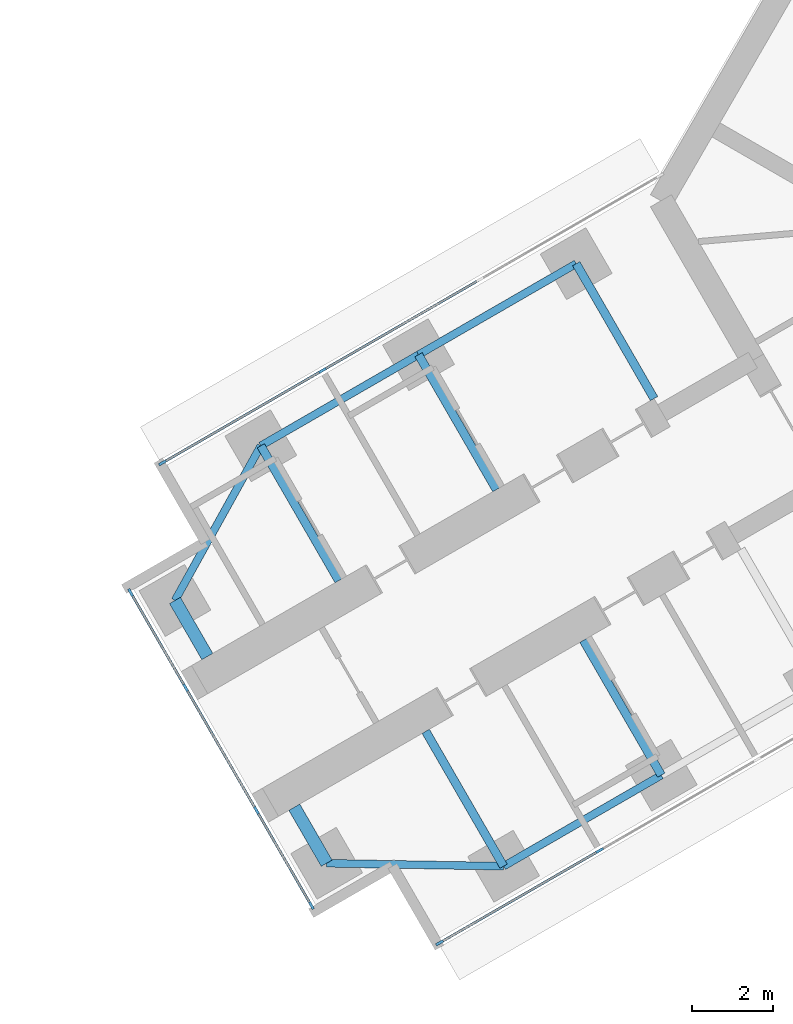
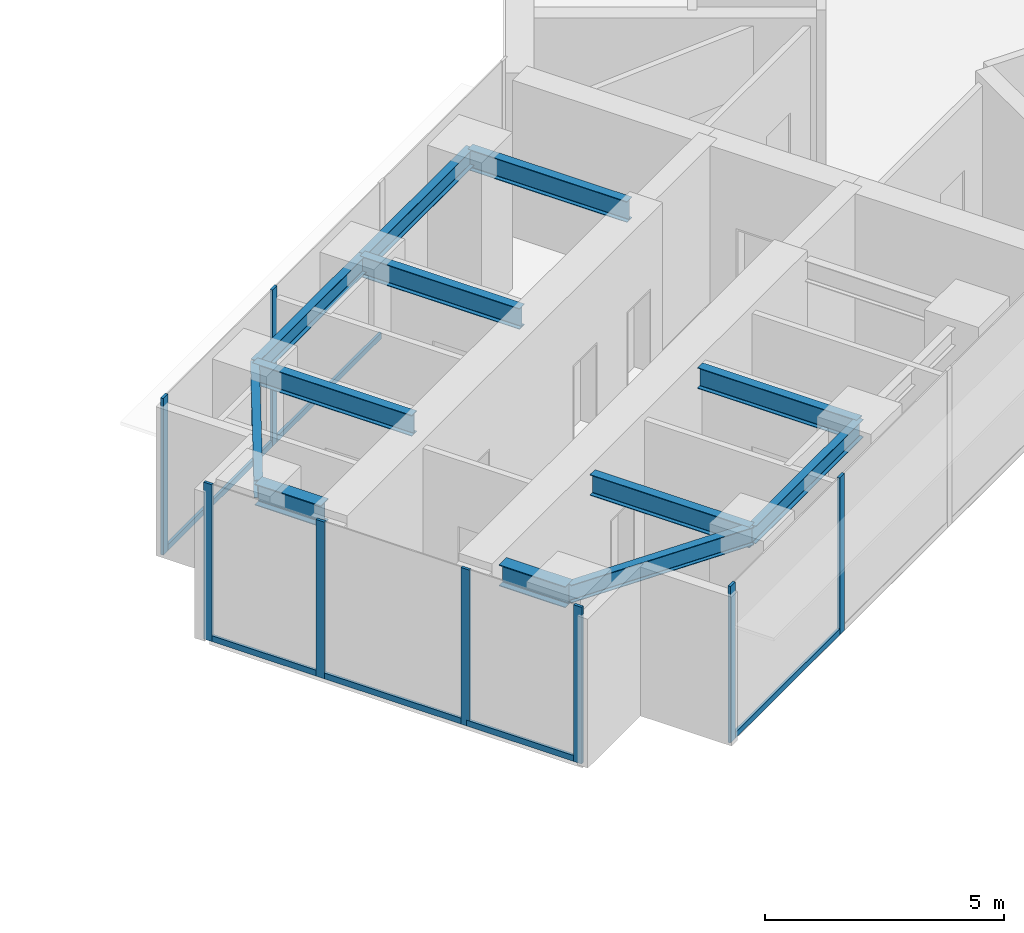
# One storey, part 3 of 22: 14 members, 12 beams, 3 elements without a shape of their own.
"""IFC4 building model written with IfcOpenShell, lengths in metres."""

from ifc_helpers import new_model, si_unit, direction, frame, origin, origin_2d, place, context, subcontext, project, spatial, rectangle, i_section, extrude, material, material_profile, profile_set, type_object, element, aggregate, save


model = new_model("IFC4")

# Units and contexts
model_context = context("Model", 3, precision=1e-05, world=origin(), true_north=direction((0.0, 1.0)))
body_context = subcontext(model_context, "Body", "Model", "MODEL_VIEW")
ifc_project = project(units=[si_unit("LENGTHUNIT", "METRE"), si_unit("AREAUNIT", "SQUARE_METRE"), si_unit("VOLUMEUNIT", "CUBIC_METRE"), si_unit("PLANEANGLEUNIT", "RADIAN"), si_unit("MASSUNIT", "GRAM", prefix="KILO")], contexts=[model_context])

# Site, building, storey
site_placement = place(None, origin())
site = spatial("IfcSite", under=ifc_project, at=site_placement, CompositionType="ELEMENT")
building_placement = place(site_placement, origin())
building = spatial("IfcBuilding", under=site, at=building_placement, Name="Upepo Twin Towers", CompositionType="ELEMENT")
storey_placement = place(building_placement, frame((0.0, 0.0, 141.5)))
storey = spatial("IfcBuildingStorey", under=building, at=storey_placement, Name="L34", CompositionType="ELEMENT", Elevation=141.5)

# Beams
ifc_material_1 = material(Name="Steel S355", Category="steel")
ifc_material_profile_1 = material_profile(ifc_material_1, i_section(OverallWidth=0.1904296875, OverallDepth=0.45703125, WebThickness=0.009033203125, FlangeThickness=0.014404296875, FilletRadius=0.01025390625, at=origin_2d()), Name="UB 457x191x74")
ifc_profile_set_1 = profile_set([ifc_material_profile_1], Name="Steel S355")
beam_type_1 = type_object("IfcBeamType", Name="Beam UB 457x191x74", PredefinedType="BEAM", material=ifc_profile_set_1)
beam_1_placement = place(storey_placement, frame((45.91162109375, -32.196044921875, 3.571533203125), z_axis=(-0.866031096941, -0.499990139034, 0.0), x_axis=(0.499990139034, -0.866031096941, 0.0)))
element("IfcBeam", 1, at=beam_1_placement, inside=storey, type_object=beam_type_1, Name="T2 edge beam BL 18.0-22.5", PredefinedType="BEAM", context=body_context, shape_type="SweptSolid", body=[
    extrude(i_section(OverallWidth=0.1904296875, OverallDepth=0.45703125, WebThickness=0.009033203125, FlangeThickness=0.014404296875, FilletRadius=0.01025390625, at=origin_2d()), origin(), (0.0, 0.0, 1.0), 4.5),
])
beam_2_placement = place(storey_placement, frame((42.014404296875, -34.446044921875, 3.571533203125), z_axis=(-0.999858804832, 0.016803880528, 0.0), x_axis=(-0.016803880528, -0.999858804832, 0.0)))
element("IfcBeam", 2, at=beam_2_placement, inside=storey, type_object=beam_type_1, Name="T2 nose edge beam BL", PredefinedType="BEAM", context=body_context, shape_type="SweptSolid", body=[
    extrude(i_section(OverallWidth=0.1904296875, OverallDepth=0.45703125, WebThickness=0.009033203125, FlangeThickness=0.014404296875, FilletRadius=0.01025390625, at=origin_2d()), origin(), (0.0, 0.0, 1.0), 4.373291015625),
])
beam_3_placement = place(storey_placement, frame((43.80859375, -19.553955078125, 3.571533203125), z_axis=(-0.866017533419, -0.500013631625, 0.0), x_axis=(0.500013631625, -0.866017533419, 0.0)))
element("IfcBeam", 3, at=beam_3_placement, inside=storey, type_object=beam_type_1, Name="T2 edge beam BR 13.5-18.0", PredefinedType="BEAM", context=body_context, shape_type="SweptSolid", body=[
    extrude(i_section(OverallWidth=0.1904296875, OverallDepth=0.45703125, WebThickness=0.009033203125, FlangeThickness=0.014404296875, FilletRadius=0.01025390625, at=origin_2d()), origin(), (0.0, 0.0, 1.0), 4.499755859375),
])
beam_4_placement = place(storey_placement, frame((39.91162109375, -21.803955078125, 3.571533203125), z_axis=(-0.866031096941, -0.499990139034, 0.0), x_axis=(0.499990139034, -0.866031096941, 0.0)))
element("IfcBeam", 4, at=beam_4_placement, inside=storey, type_object=beam_type_1, Name="T2 edge beam BR 18.0-22.5", PredefinedType="BEAM", context=body_context, shape_type="SweptSolid", body=[
    extrude(i_section(OverallWidth=0.1904296875, OverallDepth=0.45703125, WebThickness=0.009033203125, FlangeThickness=0.014404296875, FilletRadius=0.01025390625, at=origin_2d()), origin(), (0.0, 0.0, 1.0), 4.5),
])
beam_5_placement = place(storey_placement, frame((36.014404296875, -24.053955078125, 3.571533203125), z_axis=(-0.485363242752, -0.874312600038, 0.0), x_axis=(0.874312600038, -0.485363242752, 0.0)))
element("IfcBeam", 5, at=beam_5_placement, inside=storey, type_object=beam_type_1, Name="T2 nose edge beam BR", PredefinedType="BEAM", context=body_context, shape_type="SweptSolid", body=[
    extrude(i_section(OverallWidth=0.1904296875, OverallDepth=0.45703125, WebThickness=0.009033203125, FlangeThickness=0.014404296875, FilletRadius=0.01025390625, at=origin_2d()), origin(), (0.0, 0.0, 1.0), 4.373046875),
])
ifc_material_2 = material(Name="Steel S355", Category="steel")
ifc_material_profile_2 = material_profile(ifc_material_2, i_section(OverallWidth=0.209228515625, OverallDepth=0.533203125, WebThickness=0.010009765625, FlangeThickness=0.015625, FilletRadius=0.0126953125, at=origin_2d()), Name="UB 533x210x92")
ifc_profile_set_2 = profile_set([ifc_material_profile_2], Name="Steel S355")
beam_type_2 = type_object("IfcBeamType", Name="Beam UB 533x210x92", PredefinedType="BEAM", material=ifc_profile_set_2)
for number, where, z_axis, x_axis, name in (
    (6, (45.91162109375, -32.196044921875, 3.533447265625), (-0.500033517596, 0.866006051527, 0.0), (-0.866006051527, -0.500033517596, 0.0), "T2 girder BL at 18.0"),
    (7, (42.014404296875, -34.446044921875, 3.533447265625), (-0.500033517596, 0.866006051527, 0.0), (-0.866006051527, -0.500033517596, 0.0), "T2 girder BL at 22.5"),
    (8, (43.80859375, -19.553955078125, 3.533447265625), (0.500033517596, -0.866006051527, 0.0), (0.866006051527, 0.500033517596, 0.0), "T2 girder BR at 13.5"),
):
    element("IfcBeam", number, at=place(storey_placement, frame(where, z_axis=z_axis, x_axis=x_axis)), inside=storey, type_object=beam_type_2, Name=name, PredefinedType="BEAM", context=body_context, shape_type="SweptSolid", body=[
        extrude(i_section(OverallWidth=0.209228515625, OverallDepth=0.533203125, WebThickness=0.010009765625, FlangeThickness=0.015625, FilletRadius=0.0126953125, at=origin_2d()), origin(), (0.0, 0.0, 1.0), 3.849853515625),
    ])
beam_6_placement = place(storey_placement, frame((39.91162109375, -21.803955078125, 3.533447265625), z_axis=(0.499985955615, -0.866033512162, 0.0), x_axis=(0.866033512162, 0.499985955615, 0.0)))
element("IfcBeam", 9, at=beam_6_placement, inside=storey, type_object=beam_type_2, Name="T2 girder BR at 18.0", PredefinedType="BEAM", context=body_context, shape_type="SweptSolid", body=[
    extrude(i_section(OverallWidth=0.209228515625, OverallDepth=0.533203125, WebThickness=0.010009765625, FlangeThickness=0.015625, FilletRadius=0.0126953125, at=origin_2d()), origin(), (0.0, 0.0, 1.0), 3.849609375),
])
beam_7_placement = place(storey_placement, frame((36.014404296875, -24.053955078125, 3.533447265625), z_axis=(0.500033517596, -0.866006051527, 0.0), x_axis=(0.866006051527, 0.500033517596, 0.0)))
element("IfcBeam", 10, at=beam_7_placement, inside=storey, type_object=beam_type_2, Name="T2 girder BR at 22.5", PredefinedType="BEAM", context=body_context, shape_type="SweptSolid", body=[
    extrude(i_section(OverallWidth=0.209228515625, OverallDepth=0.533203125, WebThickness=0.010009765625, FlangeThickness=0.015625, FilletRadius=0.0126953125, at=origin_2d()), origin(), (0.0, 0.0, 1.0), 3.849853515625),
])
ifc_material_3 = material(Name="Steel S355", Category="steel")
ifc_material_profile_3 = material_profile(ifc_material_3, i_section(OverallWidth=0.31201171875, OverallDepth=0.54345703125, WebThickness=0.0126953125, FlangeThickness=0.020263671875, FilletRadius=0.0126953125, at=origin_2d()), Name="UB 533x312x150")
ifc_profile_set_3 = profile_set([ifc_material_profile_3], Name="Steel S355")
beam_type_3 = type_object("IfcBeamType", Name="Beam UB 533x312x150", PredefinedType="BEAM", material=ifc_profile_set_3)
for number, where, z_axis, x_axis, name in (
    (11, (37.641845703125, -34.37255859375, 3.5283203125), (-0.500061482766, 0.865989903783, 0.0), (-0.865989903783, -0.500061482766, 0.0), "T2 nose beam BL"),
    (12, (33.891845703125, -27.87744140625, 3.5283203125), (0.500061482766, -0.865989903783, 0.0), (0.865989903783, 0.500061482766, 0.0), "T2 nose beam BR"),
):
    element("IfcBeam", number, at=place(storey_placement, frame(where, z_axis=z_axis, x_axis=x_axis)), inside=storey, type_object=beam_type_3, Name=name, PredefinedType="BEAM", context=body_context, shape_type="SweptSolid", body=[
        extrude(i_section(OverallWidth=0.31201171875, OverallDepth=0.54345703125, WebThickness=0.0126953125, FlangeThickness=0.020263671875, FilletRadius=0.0126953125, at=origin_2d()), origin(), (0.0, 0.0, 1.0), 1.599853515625),
    ])

# Curtain wall, members
ifc_material_4 = material(Name="Aluminium and fritted glass", Category="aluminium")
curtain_wall_type = type_object("IfcCurtainWallType", Name="Tower curtain wall TW2, fritted glass", PredefinedType="NOTDEFINED", material=ifc_material_4)
curtain_wall_1_placement = place(storey_placement, origin())
curtain_wall_1 = element("IfcCurtainWall", 13, at=curtain_wall_1_placement, inside=storey, type_object=curtain_wall_type, Name="T2 L34 wing B flank L curtain wall", PredefinedType="NOTDEFINED")
ifc_material_5 = material(Name="Aluminium mullion", Category="aluminium")
ifc_material_profile_4 = material_profile(ifc_material_5, rectangle(XDim=0.06494140625, YDim=0.199951171875, at=origin_2d()), Name="MULLION 65x200")
ifc_profile_set_4 = profile_set([ifc_material_profile_4], Name="Aluminium mullion")
member_type_1 = type_object("IfcMemberType", Name="Mullion 65x200 TW2", PredefinedType="MULLION", material=ifc_profile_set_4)
member_1_placement = place(storey_placement, frame((44.387939453125, -34.057373046875, 0.0), z_axis=(0.0, 0.0, 1.0), x_axis=(0.500000010308, -0.866025397833, 0.0)))
member_1 = element("IfcMember", 14, at=member_1_placement, type_object=member_type_1, Name="T2 L34 wing B flank L curtain wall mullion 3", PredefinedType="MULLION", context=body_context, shape_type="SweptSolid", body=[
    extrude(rectangle(XDim=0.06494140625, YDim=0.199951171875, at=origin_2d()), origin(), (0.0, 0.0, 1.0), 4.0),
])
member_2_placement = place(storey_placement, frame((40.432373046875, -36.341064453125, 0.0), z_axis=(0.0, 0.0, 1.0), x_axis=(0.500000010308, -0.866025397833, 0.0)))
member_2 = element("IfcMember", 15, at=member_2_placement, type_object=member_type_1, Name="T2 L34 wing B flank L curtain wall mullion 4", PredefinedType="MULLION", context=body_context, shape_type="SweptSolid", body=[
    extrude(rectangle(XDim=0.06494140625, YDim=0.199951171875, at=origin_2d()), origin(), (0.0, 0.0, 1.0), 4.0),
])

curtain_wall_2_placement = place(storey_placement, origin())
curtain_wall_2 = element("IfcCurtainWall", 16, at=curtain_wall_2_placement, inside=storey, type_object=curtain_wall_type, Name="T2 L34 wing B flank R curtain wall", PredefinedType="NOTDEFINED")
member_3_placement = place(storey_placement, frame((33.58251953125, -24.4765625, 0.0), z_axis=(0.0, 0.0, 1.0), x_axis=(-0.500000010308, 0.866025397833, 0.0)))
member_3 = element("IfcMember", 17, at=member_3_placement, type_object=member_type_1, Name="T2 L34 wing B flank R curtain wall mullion 1", PredefinedType="MULLION", context=body_context, shape_type="SweptSolid", body=[
    extrude(rectangle(XDim=0.06494140625, YDim=0.199951171875, at=origin_2d()), origin(), (0.0, 0.0, 1.0), 4.0),
])
member_4_placement = place(storey_placement, frame((37.5380859375, -22.192626953125, 0.0), z_axis=(0.0, 0.0, 1.0), x_axis=(-0.500000010308, 0.866025397833, 0.0)))
member_4 = element("IfcMember", 18, at=member_4_placement, type_object=member_type_1, Name="T2 L34 wing B flank R curtain wall mullion 2", PredefinedType="MULLION", context=body_context, shape_type="SweptSolid", body=[
    extrude(rectangle(XDim=0.06494140625, YDim=0.199951171875, at=origin_2d()), origin(), (0.0, 0.0, 1.0), 4.0),
])

curtain_wall_3_placement = place(storey_placement, origin())
curtain_wall_3 = element("IfcCurtainWall", 19, at=curtain_wall_3_placement, inside=storey, type_object=curtain_wall_type, Name="T2 L34 wing B nose curtain wall", PredefinedType="NOTDEFINED")
member_5_placement = place(storey_placement, frame((32.796875, -27.68115234375, 0.0), z_axis=(0.0, 0.0, 1.0), x_axis=(0.866025386174, 0.500000030502, 0.0)))
member_5 = element("IfcMember", 20, at=member_5_placement, type_object=member_type_1, Name="T2 L34 wing B nose curtain wall mullion 1", PredefinedType="MULLION", context=body_context, shape_type="SweptSolid", body=[
    extrude(rectangle(XDim=0.06494140625, YDim=0.199951171875, at=origin_2d()), origin(), (0.0, 0.0, 1.0), 4.0),
])
member_6_placement = place(storey_placement, frame((34.15576171875, -30.034423828125, 0.0), z_axis=(0.0, 0.0, 1.0), x_axis=(0.866025386174, 0.500000030502, 0.0)))
member_6 = element("IfcMember", 21, at=member_6_placement, type_object=member_type_1, Name="T2 L34 wing B nose curtain wall mullion 2", PredefinedType="MULLION", context=body_context, shape_type="SweptSolid", body=[
    extrude(rectangle(XDim=0.06494140625, YDim=0.199951171875, at=origin_2d()), origin(), (0.0, 0.0, 1.0), 4.0),
])
member_7_placement = place(storey_placement, frame((35.90576171875, -33.0654296875, 0.0), z_axis=(0.0, 0.0, 1.0), x_axis=(0.866025386174, 0.500000030502, 0.0)))
member_7 = element("IfcMember", 22, at=member_7_placement, type_object=member_type_1, Name="T2 L34 wing B nose curtain wall mullion 3", PredefinedType="MULLION", context=body_context, shape_type="SweptSolid", body=[
    extrude(rectangle(XDim=0.06494140625, YDim=0.199951171875, at=origin_2d()), origin(), (0.0, 0.0, 1.0), 4.0),
])
member_8_placement = place(storey_placement, frame((37.264404296875, -35.4189453125, 0.0), z_axis=(0.0, 0.0, 1.0), x_axis=(0.866025386174, 0.500000030502, 0.0)))
member_8 = element("IfcMember", 23, at=member_8_placement, type_object=member_type_1, Name="T2 L34 wing B nose curtain wall mullion 4", PredefinedType="MULLION", context=body_context, shape_type="SweptSolid", body=[
    extrude(rectangle(XDim=0.06494140625, YDim=0.199951171875, at=origin_2d()), origin(), (0.0, 0.0, 1.0), 4.0),
])

# Member
ifc_material_6 = material(Name="Aluminium transom", Category="aluminium")
ifc_material_profile_5 = material_profile(ifc_material_6, rectangle(XDim=0.06494140625, YDim=0.14990234375, at=origin_2d()), Name="TRANSOM 65x150")
ifc_profile_set_5 = profile_set([ifc_material_profile_5], Name="Aluminium transom")
member_type_2 = type_object("IfcMemberType", Name="Transom 65x150 TW2", PredefinedType="USERDEFINED", material=ifc_profile_set_5)
member_9_placement = place(storey_placement, frame((44.35986328125, -34.073486328125, 0.074951171875), z_axis=(-0.866035699072, -0.499982167615, 0.0), x_axis=(0.499982167615, -0.866035699072, 0.0)))
member_9 = element("IfcMember", 24, at=member_9_placement, type_object=member_type_2, Name="T2 L34 wing B flank L curtain wall transom 3", ObjectType="TRANSOM", PredefinedType="USERDEFINED", context=body_context, shape_type="SweptSolid", body=[
    extrude(rectangle(XDim=0.06494140625, YDim=0.14990234375, at=origin_2d()), origin(), (0.0, 0.0, 1.0), 4.502685546875),
])

aggregate(curtain_wall_1, [member_1, member_2, member_9])

member_10_placement = place(storey_placement, frame((33.610595703125, -24.460205078125, 0.074951171875), z_axis=(0.866022143554, 0.500005646842, 0.0), x_axis=(-0.500005646842, 0.866022143554, 0.0)))
member_10 = element("IfcMember", 25, at=member_10_placement, type_object=member_type_2, Name="T2 L34 wing B flank R curtain wall transom 1", ObjectType="TRANSOM", PredefinedType="USERDEFINED", context=body_context, shape_type="SweptSolid", body=[
    extrude(rectangle(XDim=0.06494140625, YDim=0.14990234375, at=origin_2d()), origin(), (0.0, 0.0, 1.0), 4.50244140625),
])

member_11_placement = place(storey_placement, frame((37.566162109375, -22.176513671875, 0.074951171875), z_axis=(0.866022410713, 0.500005184116, 0.0), x_axis=(-0.500005184116, 0.866022410713, 0.0)))
member_11 = element("IfcMember", 26, at=member_11_placement, type_object=member_type_2, Name="T2 L34 wing B flank R curtain wall transom 2", ObjectType="TRANSOM", PredefinedType="USERDEFINED", context=body_context, shape_type="SweptSolid", body=[
    extrude(rectangle(XDim=0.06494140625, YDim=0.14990234375, at=origin_2d()), origin(), (0.0, 0.0, 1.0), 4.43505859375),
])

aggregate(curtain_wall_2, [member_3, member_4, member_10, member_11])

member_12_placement = place(storey_placement, frame((32.813232421875, -27.709228515625, 0.074951171875), z_axis=(0.499980071345, -0.866036909293, 0.0), x_axis=(0.866036909293, 0.499980071345, 0.0)))
member_12 = element("IfcMember", 27, at=member_12_placement, type_object=member_type_2, Name="T2 L34 wing B nose curtain wall transom 1", ObjectType="TRANSOM", PredefinedType="USERDEFINED", context=body_context, shape_type="SweptSolid", body=[
    extrude(rectangle(XDim=0.06494140625, YDim=0.14990234375, at=origin_2d()), origin(), (0.0, 0.0, 1.0), 2.65234375),
])

member_13_placement = place(storey_placement, frame((34.171875, -30.0625, 0.074951171875), z_axis=(0.499999305434, -0.866025804792, 0.0), x_axis=(0.866025804792, 0.499999305434, 0.0)))
member_13 = element("IfcMember", 28, at=member_13_placement, type_object=member_type_2, Name="T2 L34 wing B nose curtain wall transom 2", ObjectType="TRANSOM", PredefinedType="USERDEFINED", context=body_context, shape_type="SweptSolid", body=[
    extrude(rectangle(XDim=0.06494140625, YDim=0.14990234375, at=origin_2d()), origin(), (0.0, 0.0, 1.0), 3.43505859375),
])

member_14_placement = place(storey_placement, frame((35.921875, -33.09375, 0.074951171875), z_axis=(0.500049101008, -0.865997053448, 0.0), x_axis=(0.865997053448, 0.500049101008, 0.0)))
member_14 = element("IfcMember", 29, at=member_14_placement, type_object=member_type_2, Name="T2 L34 wing B nose curtain wall transom 3", ObjectType="TRANSOM", PredefinedType="USERDEFINED", context=body_context, shape_type="SweptSolid", body=[
    extrude(rectangle(XDim=0.06494140625, YDim=0.14990234375, at=origin_2d()), origin(), (0.0, 0.0, 1.0), 2.652587890625),
])

aggregate(curtain_wall_3, [member_5, member_6, member_7, member_8, member_12, member_13, member_14])

save(model, "model.ifc")
